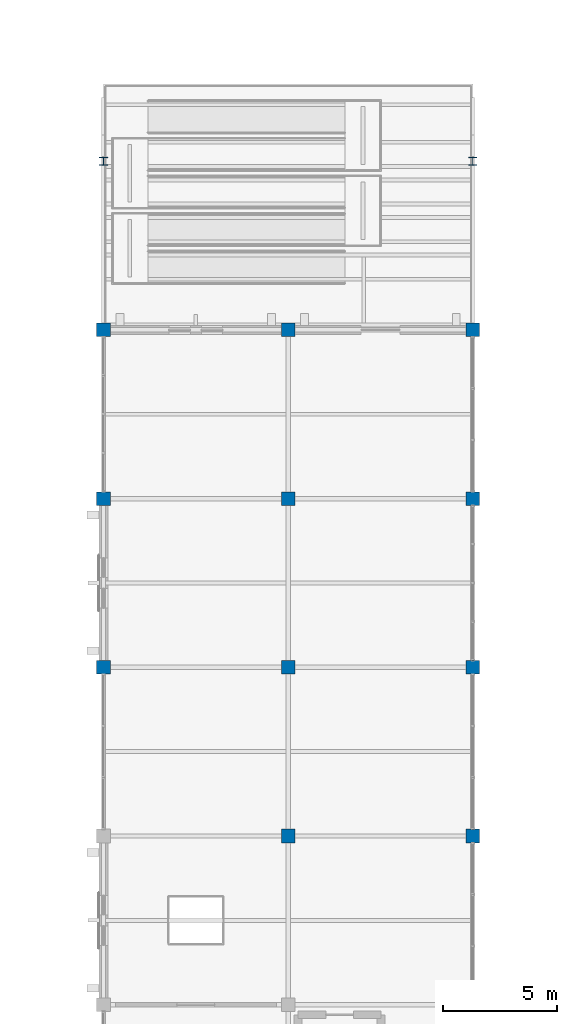
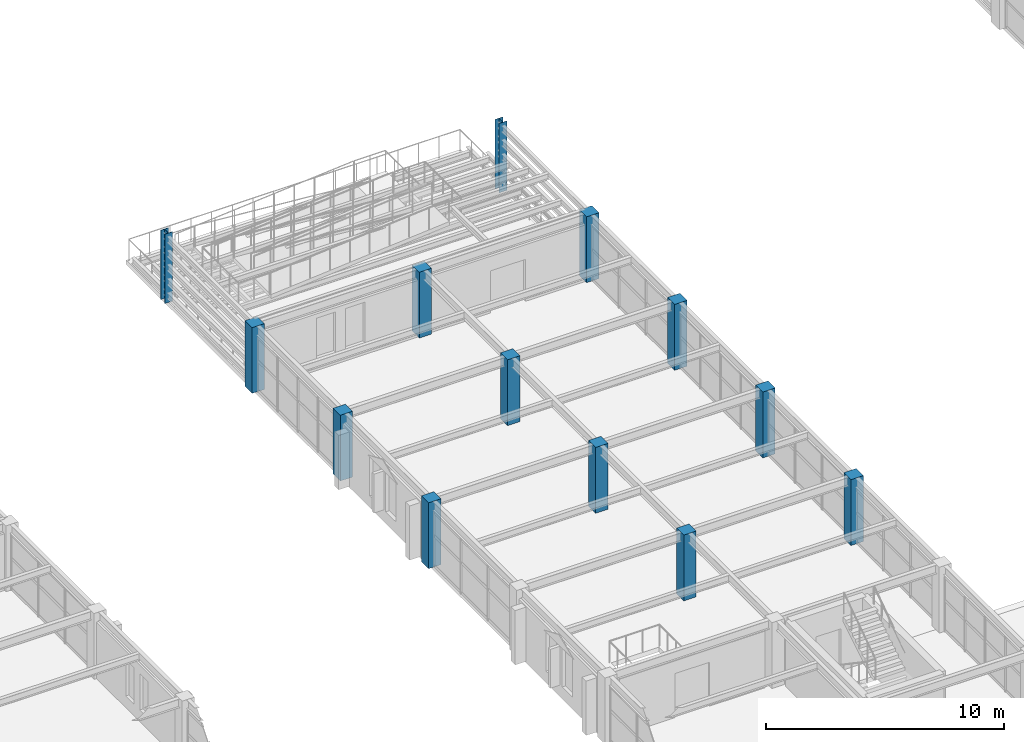
# One storey, part 3 of 121: 13 columns.
"""IFC4 building model written with IfcOpenShell, lengths in metres."""

from ifc_helpers import new_model, si_unit, direction, frame, origin, origin_2d, place, context, subcontext, project, spatial, rectangle, i_section, extrude, material, material_profile, profile_set, type_object, element, save


model = new_model("IFC4")

# Units and contexts
model_context = context("Model", 3, precision=1e-05, world=origin(), true_north=direction((0.0, 1.0)))
body_context = subcontext(model_context, "Body", "Model", "MODEL_VIEW")
ifc_project = project(units=[si_unit("LENGTHUNIT", "METRE"), si_unit("AREAUNIT", "SQUARE_METRE"), si_unit("VOLUMEUNIT", "CUBIC_METRE"), si_unit("PLANEANGLEUNIT", "RADIAN"), si_unit("MASSUNIT", "GRAM", prefix="KILO")], contexts=[model_context])

# Site, building, storey
site_placement = place(None, origin())
site = spatial("IfcSite", under=ifc_project, at=site_placement, CompositionType="ELEMENT")
building_placement = place(site_placement, origin())
building = spatial("IfcBuilding", under=site, at=building_placement, Name="Cimatlan Art Gallery", CompositionType="ELEMENT")
storey_placement = place(building_placement, frame((0.0, 0.0, 10.199951171875)))
storey = spatial("IfcBuildingStorey", under=building, at=storey_placement, Name="L02", CompositionType="ELEMENT", Elevation=10.199951171875)

# Columns
ifc_material_1 = material(Name="Concrete C45/55", Category="concrete")
ifc_material_profile_1 = material_profile(ifc_material_1, rectangle(XDim=0.60009765625, YDim=0.60009765625, at=origin_2d()), Name="RC600X600")
ifc_profile_set_1 = profile_set([ifc_material_profile_1], Name="Concrete C45/55")
column_type_1 = type_object("IfcColumnType", Name="COL-RC-600", PredefinedType="COLUMN", material=ifc_profile_set_1)
for number, where, z_axis, x_axis, name in (
    (1, (34.39990234375, 75.699951171875, 0.0), (0.0, 0.0, 1.0), (1.0, 0.0, 0.0), "COL-L02-04-10"),
    (2, (34.39990234375, 83.10009765625, 0.0), (0.0, 0.0, 1.0), (1.0, 0.0, 0.0), "COL-L02-04-11"),
    (3, (34.39990234375, 90.5, 0.0), (0.0, 0.0, 1.0), (1.0, 0.0, 0.0), "COL-L02-04-12"),
    (4, (42.5, 68.300048828125, 0.0), (0.0, 0.0, 1.0), (1.0, 0.0, 0.0), "COL-L02-05-09"),
    (5, (42.5, 75.699951171875, 0.0), (0.0, 0.0, 1.0), (1.0, 0.0, 0.0), "COL-L02-05-10"),
    (6, (42.5, 83.10009765625, 0.0), (0.0, 0.0, 1.0), (1.0, 0.0, 0.0), "COL-L02-05-11"),
    (7, (42.5, 90.5, 0.0), (0.0, 0.0, 1.0), (1.0, 0.0, 0.0), "COL-L02-05-12"),
    (8, (50.60009765625, 68.300048828125, 0.0), (0.0, 0.0, 1.0), (1.0, 0.0, 0.0), "COL-L02-06-09"),
    (9, (50.60009765625, 75.699951171875, 0.0), (0.0, 0.0, 1.0), (1.0, 0.0, 0.0), "COL-L02-06-10"),
    (10, (50.60009765625, 83.10009765625, 0.0), (0.0, 0.0, 1.0), (1.0, 0.0, 0.0), "COL-L02-06-11"),
    (11, (50.60009765625, 90.5, 0.0), (0.0, 0.0, 1.0), (1.0, 0.0, 0.0), "COL-L02-06-12"),
):
    element("IfcColumn", number, at=place(storey_placement, frame(where, z_axis=z_axis, x_axis=x_axis)), inside=storey, type_object=column_type_1, Name=name, PredefinedType="COLUMN", context=body_context, shape_type="SweptSolid", body=[
        extrude(rectangle(XDim=0.60009765625, YDim=0.60009765625, at=origin_2d()), origin(), (0.0, 0.0, 1.0), 3.3701171875),
    ])
ifc_material_2 = material(Name="Steel ASTM A992 Grade 50", Category="steel")
ifc_material_profile_2 = material_profile(ifc_material_2, i_section(OverallWidth=0.368896484375, OverallDepth=0.35595703125, WebThickness=0.01123046875, FlangeThickness=0.01806640625, at=origin_2d()), Name="W14X90")
ifc_profile_set_2 = profile_set([ifc_material_profile_2], Name="Steel ASTM A992 Grade 50")
column_type_2 = type_object("IfcColumnType", Name="COL-STL-W14X90", PredefinedType="COLUMN", material=ifc_profile_set_2)
for number, where, z_axis, x_axis, name in (
    (12, (34.39990234375, 97.89990234375, 0.0), (0.0, 0.0, 1.0), (1.0, 0.0, 0.0), "COL-RMP-TER-B2-PRT-W"),
    (13, (50.60009765625, 97.89990234375, 0.0), (0.0, 0.0, 1.0), (1.0, 0.0, 0.0), "COL-RMP-TER-B2-PRT-E"),
):
    element("IfcColumn", number, at=place(storey_placement, frame(where, z_axis=z_axis, x_axis=x_axis)), inside=storey, type_object=column_type_2, Name=name, PredefinedType="COLUMN", context=body_context, shape_type="SweptSolid", body=[
        extrude(i_section(OverallWidth=0.368896484375, OverallDepth=0.35595703125, WebThickness=0.01123046875, FlangeThickness=0.01806640625, at=origin_2d()), origin(), (0.0, 0.0, 1.0), 3.550048828125),
    ])

save(model, "model.ifc")
